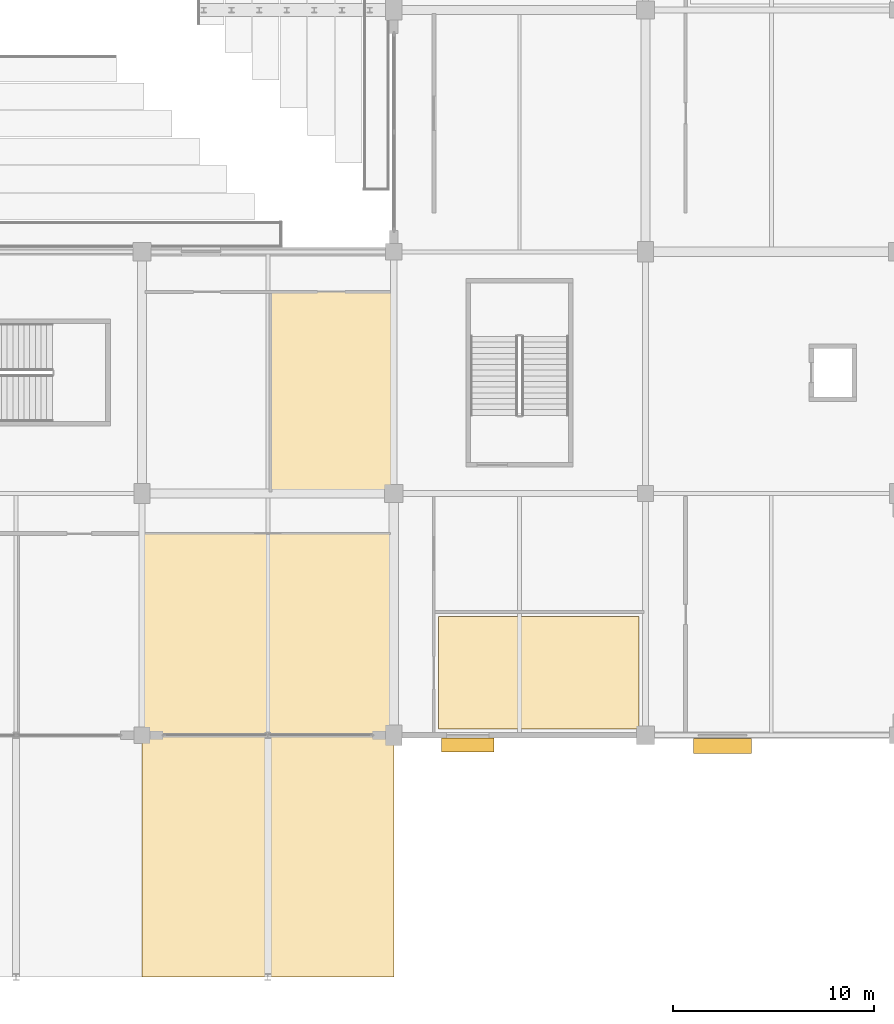
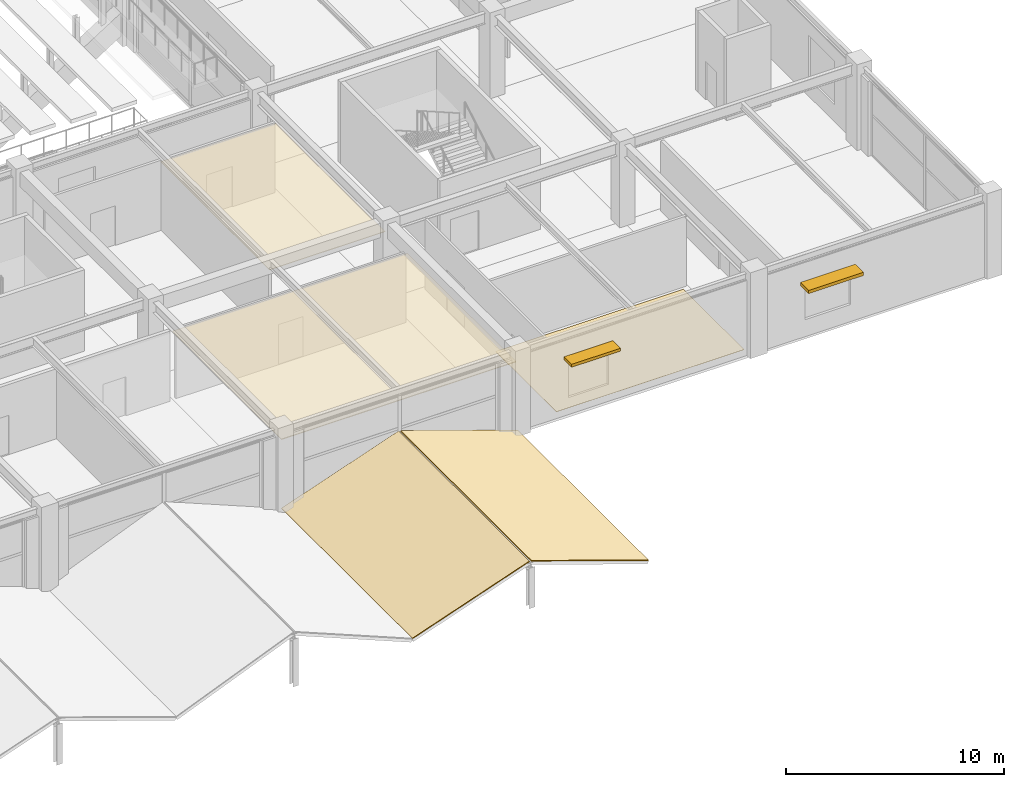
# One storey, part 114 of 134: 5 coverings, 2 shading devices.
"""IFC4 building model written with IfcOpenShell, lengths in metres."""

import ifcopenshell
import ifcopenshell.guid

model = None  # the IFC model being written
_history = None  # IfcOwnerHistory: only IFC2X3 demands one
_inside = {}  # id of a spatial element -> (the spatial element, [elements in it])
_under = {}  # id of a project, library or spatial element -> (it, [spatial elements below it])
_declared = {}  # id of a project -> (the project, [libraries it declares])
_typed = {}  # id of a type object -> (the type object, [elements of that type])
_made_of = {}  # id of a material, layer set ... -> (it, [elements and type objects made of it])


def new_model(schema):
    """Start an empty IFC model of exactly this schema.

    Asked for "IFC4X3", IfcOpenShell would pick the latest addendum, in which some entities
    have other attributes; the version numbers below select the first issue.
    IFC2X3 requires an IfcOwnerHistory on every rooted entity: one is made here for all.
    """
    global model, _history
    if schema == "IFC4X3":
        model = ifcopenshell.file(schema_version=(4, 3, 0, 0))
    else:
        model = ifcopenshell.file(schema=schema)
    _inside.clear()
    _under.clear()
    _declared.clear()
    _typed.clear()
    _made_of.clear()
    _history = None
    if model.schema == "IFC2X3":
        org = make("IfcOrganization", Name="unknown")
        user = make(
            "IfcPersonAndOrganization",
            ThePerson=make("IfcPerson", FamilyName="unknown"),
            TheOrganization=org,
        )
        app = make(
            "IfcApplication",
            ApplicationDeveloper=org,
            Version="unknown",
            ApplicationFullName="unknown",
            ApplicationIdentifier="unknown",
        )
        _history = make(
            "IfcOwnerHistory",
            OwningUser=user,
            OwningApplication=app,
            ChangeAction="ADDED",
            CreationDate=0,
        )
    return model


def make(cls, **values):
    """One entity of the class cls with the attributes given. An attribute that is None is left unset."""
    return model.create_entity(
        cls, **{name: value for name, value in values.items() if value is not None}
    )


def rooted(cls, **values):
    """An entity with a GlobalId (a new one), such as an element, a storey or a relation."""
    return make(cls, GlobalId=ifcopenshell.guid.new(), OwnerHistory=_history, **values)


def si_unit(unit_type, name, prefix=None):
    """IfcSIUnit, for example si_unit("LENGTHUNIT", "METRE", prefix="MILLI")."""
    return make("IfcSIUnit", UnitType=unit_type, Prefix=prefix, Name=name)


def assignment(units):
    """IfcUnitAssignment: the units of a project."""
    return None if units is None else make("IfcUnitAssignment", Units=units)


def point(xyz):
    """IfcCartesianPoint."""
    return None if xyz is None else make("IfcCartesianPoint", Coordinates=xyz)


def direction(xyz):
    """IfcDirection."""
    return None if xyz is None else make("IfcDirection", DirectionRatios=xyz)


def frame(location, z_axis=None, x_axis=None):
    """IfcAxis2Placement3D, a coordinate frame: its origin and axes. An axis left out is left unset."""
    return make(
        "IfcAxis2Placement3D",
        Location=point(location),
        Axis=direction(z_axis),
        RefDirection=direction(x_axis),
    )


def frame_2d(location, x_axis=None):
    """IfcAxis2Placement2D, a coordinate frame in the plane: its origin and x axis."""
    return make(
        "IfcAxis2Placement2D", Location=point(location), RefDirection=direction(x_axis)
    )


def origin():
    """The frame at (0, 0, 0) with its axes left unset."""
    return frame((0.0, 0.0, 0.0))


def origin_2d():
    """The frame at (0, 0) in the plane with its x axis left unset."""
    return frame_2d((0.0, 0.0))


def place(relative_to, where):
    """IfcLocalPlacement: puts the frame where relative to a parent placement (None: the world)."""
    return make(
        "IfcLocalPlacement", PlacementRelTo=relative_to, RelativePlacement=where
    )


def context(
    kind, dimensions, precision=None, world=None, true_north=None, identifier=None
):
    """IfcGeometricRepresentationContext, for example the 3D "Model" context."""
    return make(
        "IfcGeometricRepresentationContext",
        ContextIdentifier=identifier,
        ContextType=kind,
        CoordinateSpaceDimension=dimensions,
        Precision=precision,
        WorldCoordinateSystem=world,
        TrueNorth=true_north,
    )


def subcontext(parent, identifier, kind, view, scale=None):
    """IfcGeometricRepresentationSubContext, for example "Body" below "Model"."""
    return make(
        "IfcGeometricRepresentationSubContext",
        ContextIdentifier=identifier,
        ContextType=kind,
        ParentContext=parent,
        TargetScale=scale,
        TargetView=view,
    )


def project(units=None, contexts=None):
    """IfcProject with its units and contexts."""
    return rooted(
        "IfcProject",
        Name="project",
        RepresentationContexts=contexts,
        UnitsInContext=assignment(units),
    )


def spatial(cls, under=None, at=None, **own):
    """A site, building, storey or space (cls), placed at a placement, below another one or the project."""
    s = rooted(cls, ObjectPlacement=at, **own)
    if under is not None:
        _under.setdefault(under.id(), (under, []))[1].append(s)
    return s


def polyline(points):
    """IfcPolyline through the points."""
    return make("IfcPolyline", Points=[point(p) for p in points])


def profile(cls, at=None, kind="AREA", **sizes):
    """A parametric profile (cls). Its sizes go by their IFC names, for example OverallWidth=200.0."""
    return make(cls, ProfileType=kind, Position=at, **sizes)


def rectangle(**sizes):
    """IfcRectangleProfileDef."""
    return profile("IfcRectangleProfileDef", **sizes)


def outline(outer, holes=None, kind="AREA"):
    """IfcArbitraryClosedProfileDef: a profile drawn as a closed curve; with holes, ...WithVoids."""
    if holes is None:
        return make("IfcArbitraryClosedProfileDef", ProfileType=kind, OuterCurve=outer)
    return make(
        "IfcArbitraryProfileDefWithVoids",
        ProfileType=kind,
        OuterCurve=outer,
        InnerCurves=holes,
    )


def extrude(swept, where, along, depth):
    """IfcExtrudedAreaSolid: the profile swept, set in the frame where, extruded along a direction by depth."""
    return make(
        "IfcExtrudedAreaSolid",
        SweptArea=swept,
        Position=where,
        ExtrudedDirection=direction(along),
        Depth=depth,
    )


def shape(context_of_items, identifier, shape_type, items):
    """IfcShapeRepresentation: the items that make up one representation, for example the "Body"."""
    return make(
        "IfcShapeRepresentation",
        ContextOfItems=context_of_items,
        RepresentationIdentifier=identifier,
        RepresentationType=shape_type,
        Items=items,
    )


def material(Name=None, Category=None):
    """IfcMaterial."""
    return make("IfcMaterial", Name=Name, Category=Category)


def layer(
    of_material, thickness, ventilated=None, Name=None, Category=None, Priority=None
):
    """IfcMaterialLayer: one layer of a wall or slab, of a material (None: an air gap)."""
    return make(
        "IfcMaterialLayer",
        Material=of_material,
        LayerThickness=thickness,
        IsVentilated=ventilated,
        Name=Name,
        Category=Category,
        Priority=Priority,
    )


def layer_set(layers, Name=None):
    """IfcMaterialLayerSet."""
    return make("IfcMaterialLayerSet", MaterialLayers=layers, LayerSetName=Name)


def made_of(thing, what):
    """Note that an element or type object is made of a material, layer set ...; save() writes the relation."""
    if what is not None:
        _made_of.setdefault(what.id(), (what, []))[1].append(thing)
    return thing


def type_object(cls, material=None, **own):
    """A type object (cls), such as IfcWallType, which elements share."""
    return made_of(rooted(cls, **own), material)


def element(
    cls,
    number,
    at=None,
    inside=None,
    cuts=None,
    type_object=None,
    material=None,
    context=None,
    identifier="Body",
    shape_type=None,
    held_by="IfcProductDefinitionShape",
    body=None,
    shapes=None,
    **own,
):
    """One element of the class cls, such as IfcWall. Its Tag is "e" and its number.

    at: its placement. inside: the storey or other place that contains it. cuts: it is an
    opening in that element (IfcRelVoidsElement). A single representation is given by context,
    identifier, shape_type and body (its items); several are given by shapes. held_by: the class
    of the entity that holds the representations. save() writes the other relations.
    """
    e = rooted(cls, Tag="e%d" % number, ObjectPlacement=at, **own)
    if body is not None:
        shapes = [shape(context, identifier, shape_type, body)]
    if shapes is not None:
        e.Representation = make(held_by, Representations=shapes)
    if inside is not None:
        _inside.setdefault(inside.id(), (inside, []))[1].append(e)
    if cuts is not None:
        rooted(
            "IfcRelVoidsElement", RelatingBuildingElement=cuts, RelatedOpeningElement=e
        )
    if type_object is not None:
        _typed.setdefault(type_object.id(), (type_object, []))[1].append(e)
    return made_of(e, material)


def aggregate(whole, parts):
    """IfcRelAggregates: a whole, such as a stair, and the parts it consists of."""
    return rooted("IfcRelAggregates", RelatingObject=whole, RelatedObjects=parts)


def save(model, path):
    """Write the relations noted so far, then the file.

    IfcRelAggregates (storeys below a building ...), IfcRelContainedInSpatialStructure (elements
    in a storey), IfcRelDefinesByType, IfcRelAssociatesMaterial and IfcRelDeclares: one each for
    every whole, place, type object, material and project.
    """
    for whole, parts in _under.values():
        aggregate(whole, parts)
    for where, things in _inside.values():
        rooted(
            "IfcRelContainedInSpatialStructure",
            RelatedElements=things,
            RelatingStructure=where,
        )
    for kind, things in _typed.values():
        rooted("IfcRelDefinesByType", RelatedObjects=things, RelatingType=kind)
    for what, things in _made_of.values():
        rooted("IfcRelAssociatesMaterial", RelatedObjects=things, RelatingMaterial=what)
    for by, libraries in _declared.values():
        rooted("IfcRelDeclares", RelatingContext=by, RelatedDefinitions=libraries)
    model.write(path)


model = new_model("IFC4")

# Units and contexts
model_context = context("Model", 3, precision=1e-05, world=origin(), true_north=direction((0.0, 1.0)))
body_context = subcontext(model_context, "Body", "Model", "MODEL_VIEW")
ifc_project = project(units=[si_unit("LENGTHUNIT", "METRE"), si_unit("AREAUNIT", "SQUARE_METRE"), si_unit("VOLUMEUNIT", "CUBIC_METRE"), si_unit("PLANEANGLEUNIT", "RADIAN"), si_unit("MASSUNIT", "GRAM", prefix="KILO")], contexts=[model_context])

# Site, building, storey
site_placement = place(None, origin())
site = spatial("IfcSite", under=ifc_project, at=site_placement, CompositionType="ELEMENT")
building_placement = place(site_placement, origin())
building = spatial("IfcBuilding", under=site, at=building_placement, Name="Kazenohara Klinker Stadium", CompositionType="ELEMENT")
storey_placement = place(building_placement, frame((0.0, 0.0, 5.39990234375)))
storey = spatial("IfcBuildingStorey", under=building, at=storey_placement, Name="L01", CompositionType="ELEMENT", Elevation=5.39990234375)

# Coverings
ifc_material_1 = material(Name="Perforated acoustic mineral-fibre ceiling tile", Category="gypsum")
ifc_layer_1 = layer(ifc_material_1, 0.030029296875)
ifc_layer_set_1 = layer_set([ifc_layer_1], Name="Perforated acoustic mineral-fibre ceiling tile")
covering_type_1 = type_object("IfcCoveringType", Name="COV-CEIL-01", PredefinedType="CEILING", material=ifc_layer_set_1)
covering_1_placement = place(storey_placement, frame((0.0, 0.0, 3.75)))
element("IfcCovering", 1, at=covering_1_placement, inside=storey, type_object=covering_type_1, Name="Suspended acoustic ceiling CL01 Supporter Scarf and Jersey Retail Shop L01-1302B", PredefinedType="CEILING", context=body_context, shape_type="SweptSolid", body=[
    extrude(outline(polyline([(168.831787109375, 24.06005859375), (174.9599609375, 24.06005859375), (174.9599609375, 34.0400390625), (168.831787109375, 34.0400390625), (168.831787109375, 24.06005859375)])), origin(), (0.0, 0.0, 1.0), 0.030029296875),
])
ifc_material_2 = material(Name="Slatted Hokkaido cedar acoustic baffle ceiling", Category="wood")
ifc_layer_2 = layer(ifc_material_2, 0.0400390625)
ifc_layer_set_2 = layer_set([ifc_layer_2], Name="Slatted Hokkaido cedar acoustic baffle ceiling")
covering_type_2 = type_object("IfcCoveringType", Name="COV-CEIL-02", PredefinedType="CEILING", material=ifc_layer_set_2)
covering_2_placement = place(storey_placement, frame((0.0, 0.0, 3.739990234375)))
element("IfcCovering", 2, at=covering_2_placement, inside=storey, type_object=covering_type_2, Name="Suspended acoustic ceiling CL02 Spectator First-Aid Medical Clinic L01-1301A", PredefinedType="CEILING", context=body_context, shape_type="SweptSolid", body=[
    extrude(outline(polyline([(162.5400390625, 12.06005859375), (174.9599609375, 12.06005859375), (174.9599609375, 22.0400390625), (162.5400390625, 22.0400390625), (162.5400390625, 12.06005859375)])), origin(), (0.0, 0.0, 1.0), 0.0400390625),
])
ifc_material_3 = material(Name="Cushioned EPDM sports rubber flooring", Category="rubber")
ifc_layer_3 = layer(ifc_material_3, 0.014892578125)
ifc_layer_set_3 = layer_set([ifc_layer_3], Name="Cushioned EPDM sports rubber flooring")
covering_type_3 = type_object("IfcCoveringType", Name="COV-FLR-02", PredefinedType="FLOORING", material=ifc_layer_set_3)
covering_3_placement = place(storey_placement, origin())
element("IfcCovering", 3, at=covering_3_placement, inside=storey, type_object=covering_type_3, Name="Interior floor finish FL02 Community Martial Arts Fitness Studio L01-1401A", PredefinedType="FLOORING", context=body_context, shape_type="SweptSolid", body=[
    extrude(outline(polyline([(177.22998046875, 12.31005859375), (187.169921875, 12.31005859375), (187.169921875, 17.88671875), (177.22998046875, 17.88671875), (177.22998046875, 12.31005859375)])), origin(), (0.0, 0.0, 1.0), 0.01513671875),
])
ifc_material_4 = material(Name="Insulated standing-seam copper roofing", Category="metal")
ifc_layer_4 = layer(ifc_material_4, 0.050048828125)
ifc_layer_set_4 = layer_set([ifc_layer_4], Name="Insulated standing-seam copper roofing")
covering_type_4 = type_object("IfcCoveringType", Name="COV-ROOF-01", PredefinedType="ROOFING", material=ifc_layer_set_4)
for number, where, z_axis, x_axis, name in (
    (4, (162.5, 0.0, -0.02978515625), (-0.327622925614, 0.0, 0.944808561886), (0.944808561886, 0.0, 0.327622925614), "Standing-seam copper stepped wing roofing L01-A 14/A"),
    (5, (168.800048828125, 0.0, 2.1201171875), (0.327622925614, 0.0, 0.944808561886), (0.944808561886, 0.0, -0.327622925614), "Standing-seam copper stepped wing roofing L01-B 14/A"),
):
    element("IfcCovering", number, at=place(storey_placement, frame(where, z_axis=z_axis, x_axis=x_axis)), inside=storey, type_object=covering_type_4, Name=name, PredefinedType="ROOFING", context=body_context, shape_type="SweptSolid", body=[
        extrude(outline(polyline([(0.0, 0.0), (6.5621242461032345, 0.0), (6.5621242461032345, 12.0), (0.0, 12.0), (0.0, 0.0)])), origin(), (0.0, 0.0, -1.0), 0.050048828125),
    ])

# Shading devices
ifc_material_5 = material(Name="Bronze-anodised aluminium snow-hood sunshade", Category="aluminium")
shading_device_type_1 = type_object("IfcShadingDeviceType", Name="SHD-SUN-01", PredefinedType="AWNING", material=ifc_material_5)
shading_device_1_placement = place(storey_placement, frame((178.669921875, 11.514892578125, 3.14990234375), z_axis=(0.0, 0.0, 1.0), x_axis=(1.0, 0.0, 0.0)))
element("IfcShadingDevice", 6, at=shading_device_1_placement, inside=storey, type_object=shading_device_type_1, Name="Bronze snow-hood sunshade SS01-09", PredefinedType="AWNING", context=body_context, shape_type="SweptSolid", body=[
    extrude(rectangle(XDim=2.60009765625, YDim=0.699951171875, at=origin_2d()), origin(), (0.0, 0.0, 1.0), 0.159912109375),
])
shading_device_type_2 = type_object("IfcShadingDeviceType", Name="SHD-SUN-02", PredefinedType="AWNING", material=ifc_material_5)
shading_device_2_placement = place(storey_placement, frame((191.320068359375, 11.4599609375, 2.93994140625), z_axis=(0.0, 0.0, 1.0), x_axis=(1.0, 0.0, 0.0)))
element("IfcShadingDevice", 7, at=shading_device_2_placement, inside=storey, type_object=shading_device_type_2, Name="Bronze snow-hood sunshade SS02-10", PredefinedType="AWNING", context=body_context, shape_type="SweptSolid", body=[
    extrude(rectangle(XDim=2.89990234375, YDim=0.75, at=origin_2d()), origin(), (0.0, 0.0, 1.0), 0.179931640625),
])

save(model, "model.ifc")
